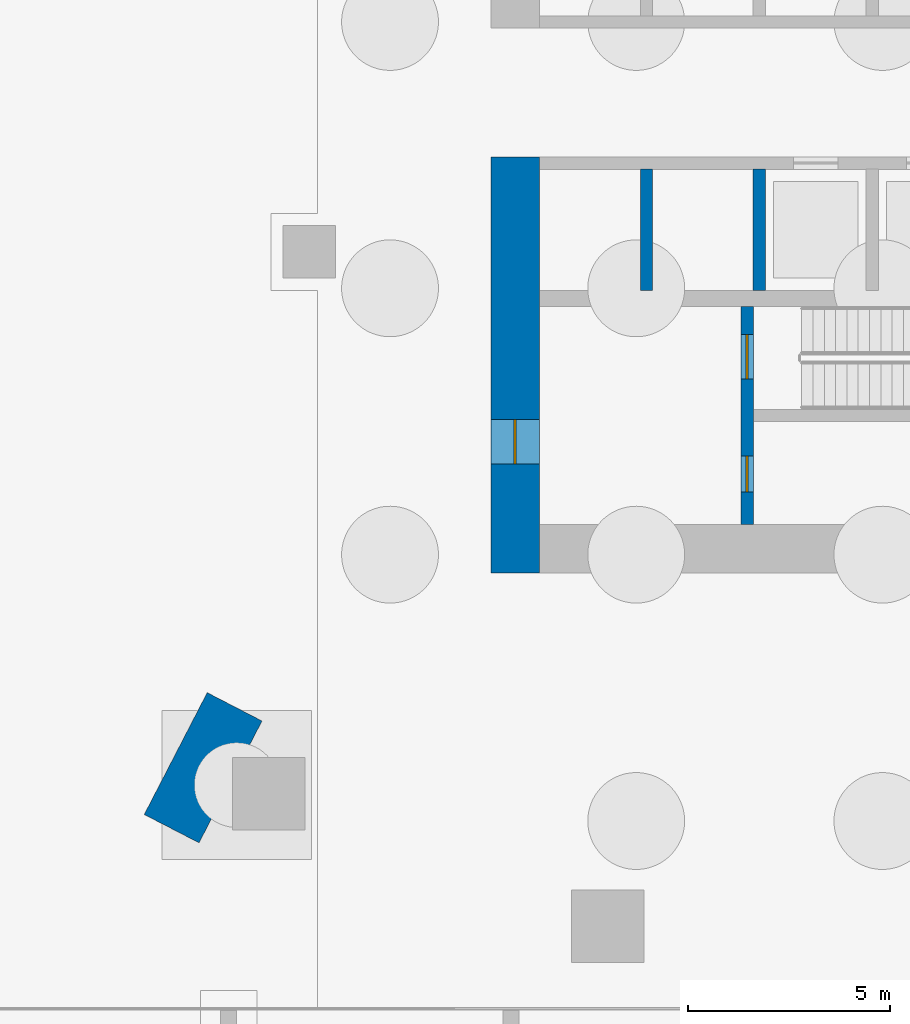
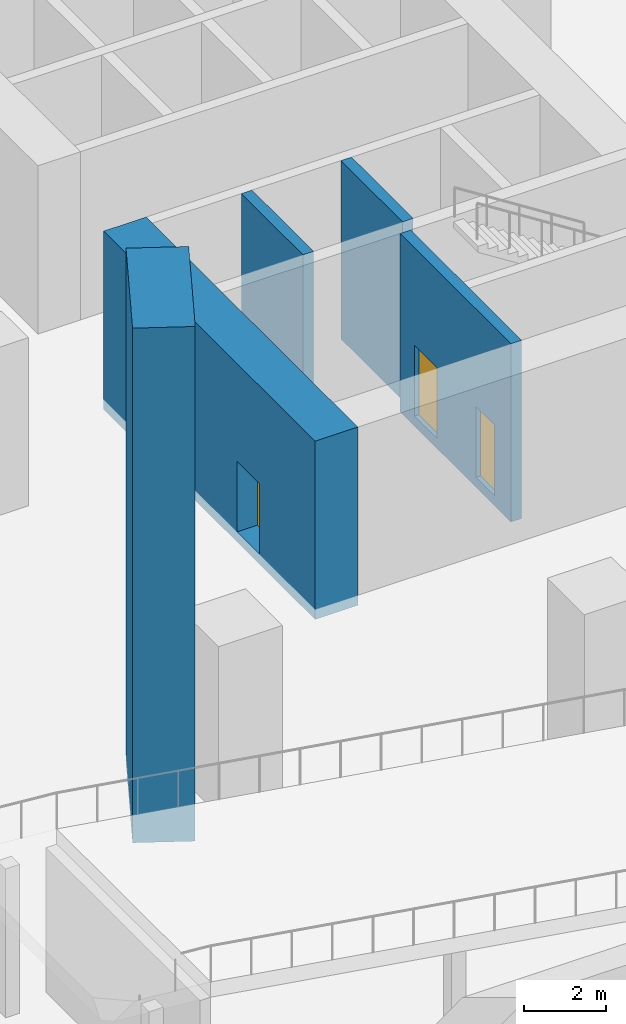
# One storey, part 4 of 11: 5 walls, 3 doors, 3 openings.
"""IFC4 building model written with IfcOpenShell, lengths in metres."""

from ifc_helpers import new_model, si_unit, direction, frame, frame_2d, origin, place, context, subcontext, project, spatial, rectangle, extrude, material, layer, layer_set, type_object, element, fill, save


model = new_model("IFC4")

# Units and contexts
model_context = context("Model", 3, precision=1e-05, world=origin(), true_north=direction((0.0, 1.0)))
body_context = subcontext(model_context, "Body", "Model", "MODEL_VIEW")
ifc_project = project(units=[si_unit("LENGTHUNIT", "METRE"), si_unit("AREAUNIT", "SQUARE_METRE"), si_unit("VOLUMEUNIT", "CUBIC_METRE"), si_unit("PLANEANGLEUNIT", "RADIAN"), si_unit("MASSUNIT", "GRAM", prefix="KILO")], contexts=[model_context])

# Site, building, storey
site_placement = place(None, origin())
site = spatial("IfcSite", under=ifc_project, at=site_placement, CompositionType="ELEMENT")
building_placement = place(site_placement, origin())
building = spatial("IfcBuilding", under=site, at=building_placement, Name="Ostrand Prow Hotel Tower", CompositionType="ELEMENT")
storey_placement = place(building_placement, frame((0.0, 0.0, -10.0)))
storey = spatial("IfcBuildingStorey", under=building, at=storey_placement, Name="B2", CompositionType="ELEMENT", Elevation=-10.0)

# Wall
ifc_material_1 = material(Name="Concrete C80/95", Category="concrete")
ifc_layer_1 = layer(ifc_material_1, 3.39990234375)
ifc_layer_set_1 = layer_set([ifc_layer_1], Name="Concrete C80/95")
wall_type_1 = type_object("IfcWallType", Name="Abutment pier 3400 C80/95", PredefinedType="SHEAR", material=ifc_layer_set_1)
wall_1_placement = place(storey_placement, frame((41.689697265625, -21.42919921875, -0.300048828125), z_axis=(0.0, 0.0, 1.0), x_axis=(0.888406364692, -0.459057873449, 0.0)))
element("IfcWall", 1, at=wall_1_placement, inside=storey, type_object=wall_type_1, Name="Abutment pier SE", PredefinedType="SHEAR", context=body_context, shape_type="SweptSolid", body=[
    extrude(rectangle(XDim=1.528564453125, YDim=3.39990234375, at=frame_2d((0.76416015625, 0.0))), origin(), (0.0, 0.0, 1.0), 15.300048828125),
])

# Wall, opening, door
ifc_material_2 = material(Name="Concrete C80/95", Category="concrete")
ifc_layer_2 = layer(ifc_material_2, 1.199951171875)
ifc_layer_set_2 = layer_set([ifc_layer_2], Name="Concrete C80/95")
wall_type_2 = type_object("IfcWallType", Name="Core wall 1200 C80/95", PredefinedType="SHEAR", material=ifc_layer_set_2)
wall_2_placement = place(storey_placement, frame((50.10009765625, -16.949951171875, -0.300048828125), z_axis=(0.0, 0.0, 1.0), x_axis=(0.0, 1.0, 0.0)))
wall_2 = element("IfcWall", 2, at=wall_2_placement, inside=storey, type_object=wall_type_2, Name="Core wall CW-W-S", PredefinedType="SHEAR", context=body_context, shape_type="SweptSolid", body=[
    extrude(rectangle(XDim=10.300048828125, YDim=1.199951171875, at=frame_2d((5.14990234375, 0.0))), origin(), (0.0, 0.0, 1.0), 5.300048828125),
])
opening_1_placement = place(wall_2_placement, frame((2.699951171875, 0.0, 0.300048828125)))
opening_1 = element("IfcOpeningElement", 3, at=opening_1_placement, cuts=wall_2, Name="Opening FD1", PredefinedType="OPENING", context=body_context, shape_type="SweptSolid", body=[
    extrude(rectangle(XDim=1.10009765625, YDim=2.10009765625, at=frame_2d((0.550048828125, 1.050048828125))), frame((0.0, 0.60986328125, 0.0), z_axis=(0.0, -1.0, 0.0), x_axis=(1.0, 0.0, 0.0)), (0.0, 0.0, 1.0), 1.219970703125),
])
ifc_material_3 = material(Name="Steel fire door", Category="steel")
door_type_1 = type_object("IfcDoorType", Name="Fire door 1100 EI120", OperationType="SINGLE_SWING_RIGHT", PredefinedType="DOOR", material=ifc_material_3)
door_1_placement = place(opening_1_placement, origin())
door_1 = element("IfcDoor", 4, at=door_1_placement, inside=storey, type_object=door_type_1, Name="FIRE DOOR", OperationType="SINGLE_SWING_RIGHT", OverallHeight=2.10009765625, OverallWidth=1.10009765625, PredefinedType="DOOR", context=body_context, shape_type="SweptSolid", body=[
    extrude(rectangle(XDim=1.10009765625, YDim=2.10009765625, at=frame_2d((0.550048828125, 1.050048828125))), frame((0.0, 0.02490234375, 0.0), z_axis=(0.0, -1.0, 0.0), x_axis=(1.0, 0.0, 0.0)), (0.0, 0.0, 1.0), 0.050048828125),
])
fill(opening_1, door_1)

# Walls
ifc_material_4 = material(Name="Concrete C80/95", Category="concrete")
ifc_layer_3 = layer(ifc_material_4, 0.300048828125)
ifc_layer_set_3 = layer_set([ifc_layer_3], Name="Concrete C80/95")
wall_type_3 = type_object("IfcWallType", Name="Core wall 300 C80/95", PredefinedType="SHEAR", material=ifc_layer_set_3)
for number, where, z_axis, x_axis, name in (
    (5, (53.35009765625, -9.949951171875, -0.300048828125), (0.0, 0.0, 1.0), (0.0, 1.0, 0.0), "Core wall PW-R1-SA"),
    (6, (56.14990234375, -9.949951171875, -0.300048828125), (0.0, 0.0, 1.0), (0.0, 1.0, 0.0), "Core wall PW-R2-SA"),
):
    element("IfcWall", number, at=place(storey_placement, frame(where, z_axis=z_axis, x_axis=x_axis)), inside=storey, type_object=wall_type_3, Name=name, PredefinedType="SHEAR", context=body_context, shape_type="SweptSolid", body=[
        extrude(rectangle(XDim=3.0, YDim=0.300048828125, at=frame_2d((1.5, 0.0))), origin(), (0.0, 0.0, 1.0), 5.300048828125),
    ])

# Wall, openings, doors
wall_3_placement = place(storey_placement, frame((55.85009765625, -15.75, -0.300048828125), z_axis=(0.0, 0.0, 1.0), x_axis=(0.0, 1.0, 0.0)))
wall_3 = element("IfcWall", 7, at=wall_3_placement, inside=storey, type_object=wall_type_3, Name="Core wall PW-VS", PredefinedType="SHEAR", context=body_context, shape_type="SweptSolid", body=[
    extrude(rectangle(XDim=5.39990234375, YDim=0.300048828125, at=frame_2d((2.699951171875, 0.0))), origin(), (0.0, 0.0, 1.0), 5.300048828125),
])
opening_2_placement = place(wall_3_placement, frame((3.60009765625, 0.0, 0.300048828125)))
opening_2 = element("IfcOpeningElement", 8, at=opening_2_placement, cuts=wall_3, Name="Opening FD1", PredefinedType="OPENING", context=body_context, shape_type="SweptSolid", body=[
    extrude(rectangle(XDim=1.10009765625, YDim=2.10009765625, at=frame_2d((0.550048828125, 1.050048828125))), frame((0.0, 0.159912109375, 0.0), z_axis=(0.0, -1.0, 0.0), x_axis=(1.0, 0.0, 0.0)), (0.0, 0.0, 1.0), 0.320068359375),
])
opening_3_placement = place(wall_3_placement, frame((0.800048828125, 0.0, 0.300048828125)))
opening_3 = element("IfcOpeningElement", 9, at=opening_3_placement, cuts=wall_3, Name="Opening FD2", PredefinedType="OPENING", context=body_context, shape_type="SweptSolid", body=[
    extrude(rectangle(XDim=0.89990234375, YDim=2.10009765625, at=frame_2d((0.449951171875, 1.050048828125))), frame((0.0, 0.159912109375, 0.0), z_axis=(0.0, -1.0, 0.0), x_axis=(1.0, 0.0, 0.0)), (0.0, 0.0, 1.0), 0.320068359375),
])
door_2_placement = place(opening_2_placement, origin())
door_2 = element("IfcDoor", 10, at=door_2_placement, inside=storey, type_object=door_type_1, Name="FIRE DOOR", OperationType="SINGLE_SWING_RIGHT", OverallHeight=2.10009765625, OverallWidth=1.10009765625, PredefinedType="DOOR", context=body_context, shape_type="SweptSolid", body=[
    extrude(rectangle(XDim=1.10009765625, YDim=2.10009765625, at=frame_2d((0.550048828125, 1.050048828125))), frame((0.0, 0.02490234375, 0.0), z_axis=(0.0, -1.0, 0.0), x_axis=(1.0, 0.0, 0.0)), (0.0, 0.0, 1.0), 0.050048828125),
])
fill(opening_2, door_2)
ifc_material_5 = material(Name="Steel fire door", Category="steel")
door_type_2 = type_object("IfcDoorType", Name="Fire door 900 EI120", OperationType="SINGLE_SWING_LEFT", PredefinedType="DOOR", material=ifc_material_5)
door_3_placement = place(opening_3_placement, origin())
door_3 = element("IfcDoor", 11, at=door_3_placement, inside=storey, type_object=door_type_2, Name="FIRE DOOR", OperationType="SINGLE_SWING_LEFT", OverallHeight=2.10009765625, OverallWidth=0.89990234375, PredefinedType="DOOR", context=body_context, shape_type="SweptSolid", body=[
    extrude(rectangle(XDim=0.89990234375, YDim=2.10009765625, at=frame_2d((0.449951171875, 1.050048828125))), frame((0.0, 0.02490234375, 0.0), z_axis=(0.0, -1.0, 0.0), x_axis=(1.0, 0.0, 0.0)), (0.0, 0.0, 1.0), 0.050048828125),
])
fill(opening_3, door_3)

save(model, "model.ifc")
